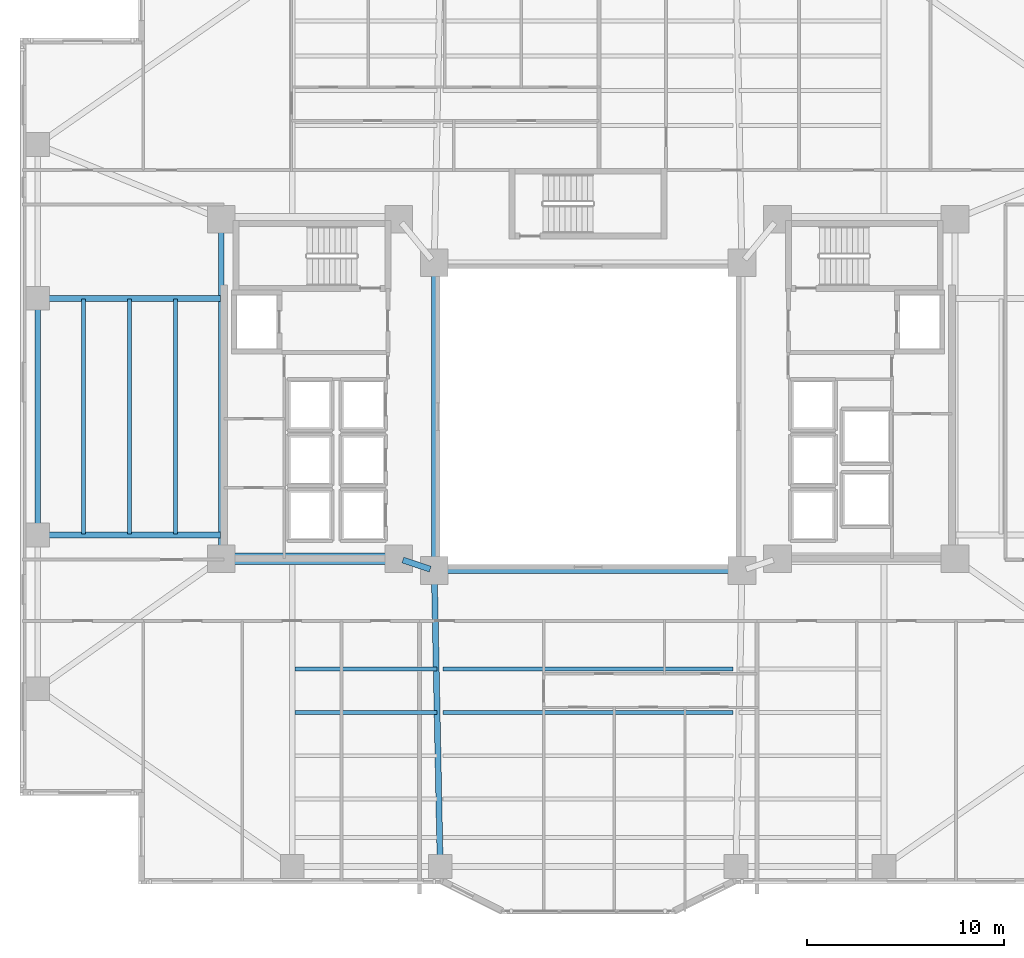
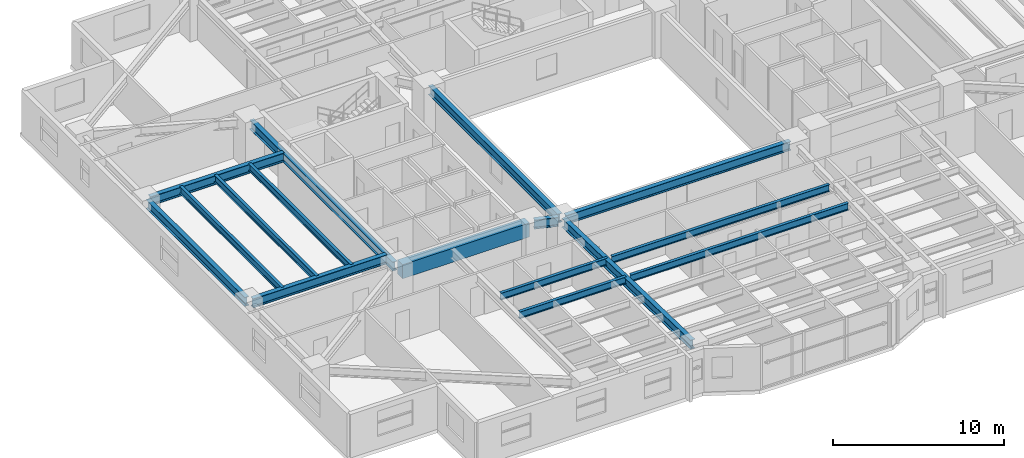
# One storey, part 3 of 19: 16 beams.
"""IFC4 building model written with IfcOpenShell, lengths in metres."""

from ifc_helpers import new_model, si_unit, direction, frame, origin, origin_2d, place, context, subcontext, project, spatial, rectangle, i_section, extrude, material, material_profile, profile_set, type_object, element, save


model = new_model("IFC4")

# Units and contexts
model_context = context("Model", 3, precision=1e-05, world=origin(), true_north=direction((0.0, 1.0)))
body_context = subcontext(model_context, "Body", "Model", "MODEL_VIEW")
ifc_project = project(units=[si_unit("LENGTHUNIT", "METRE"), si_unit("AREAUNIT", "SQUARE_METRE"), si_unit("VOLUMEUNIT", "CUBIC_METRE"), si_unit("PLANEANGLEUNIT", "RADIAN"), si_unit("MASSUNIT", "GRAM", prefix="KILO")], contexts=[model_context])

# Site, building, storey
site_placement = place(None, origin())
site = spatial("IfcSite", under=ifc_project, at=site_placement, CompositionType="ELEMENT")
building_placement = place(site_placement, origin())
building = spatial("IfcBuilding", under=site, at=building_placement, Name="Tarnavaz Court Tower", CompositionType="ELEMENT")
storey_placement = place(building_placement, frame((0.0, 0.0, 54.14990234375)))
storey = spatial("IfcBuildingStorey", under=building, at=storey_placement, Name="L14", CompositionType="ELEMENT", Elevation=54.14990234375)

# Beams
ifc_material_1 = material(Name="Concrete C60/75", Category="concrete")
ifc_material_profile_1 = material_profile(ifc_material_1, rectangle(XDim=0.60009765625, YDim=1.0, at=origin_2d()), Name="RC 600X1000")
ifc_profile_set_1 = profile_set([ifc_material_profile_1], Name="Concrete C60/75")
beam_type_1 = type_object("IfcBeamType", Name="BM-CB1000", PredefinedType="LINTEL", material=ifc_profile_set_1)
beam_1_placement = place(storey_placement, frame((-18.3798828125, -7.199951171875, 2.60009765625), z_axis=(1.0, 0.0, 0.0), x_axis=(0.0, 1.0, 0.0)))
element("IfcBeam", 1, at=beam_1_placement, inside=storey, type_object=beam_type_1, Name="L14 Beam IN-CW-SO-CW-SI", PredefinedType="LINTEL", context=body_context, shape_type="SweptSolid", body=[
    extrude(rectangle(XDim=0.60009765625, YDim=1.0, at=origin_2d()), origin(), (0.0, 0.0, 1.0), 8.559814453125),
])
ifc_material_2 = material(Name="Steel S355", Category="steel")
ifc_material_profile_2 = material_profile(ifc_material_2, i_section(OverallWidth=0.300048828125, OverallDepth=0.64990234375, WebThickness=0.01611328125, FlangeThickness=0.031005859375, FilletRadius=0.027099609375, at=origin_2d()), Name="HEB 650")
ifc_profile_set_2 = profile_set([ifc_material_profile_2], Name="Steel S355")
beam_type_2 = type_object("IfcBeamType", Name="BM-G-HEB650", PredefinedType="USERDEFINED", material=ifc_profile_set_2)
beam_2_placement = place(storey_placement, frame((-9.391357421875, -7.26953125, 2.775146484375), z_axis=(0.948666544706, -0.316278021615, 0.0), x_axis=(0.316278021615, 0.948666544706, 0.0)))
element("IfcBeam", 2, at=beam_2_placement, inside=storey, type_object=beam_type_2, Name="L14 Beam IN-CW-SI-IW-SW", ObjectType="GIRDER", PredefinedType="USERDEFINED", context=body_context, shape_type="SweptSolid", body=[
    extrude(i_section(OverallWidth=0.300048828125, OverallDepth=0.64990234375, WebThickness=0.01611328125, FlangeThickness=0.031005859375, FilletRadius=0.027099609375, at=origin_2d()), origin(), (0.0, 0.0, 1.0), 1.457275390625),
])
beam_3_placement = place(storey_placement, frame((-18.60009765625, -6.97998046875, 2.775146484375), z_axis=(0.0, 1.0, 0.0), x_axis=(-1.0, 0.0, 0.0)))
element("IfcBeam", 3, at=beam_3_placement, inside=storey, type_object=beam_type_2, Name="L14 Beam IN-CW-SO-CW-NO", ObjectType="GIRDER", PredefinedType="USERDEFINED", context=body_context, shape_type="SweptSolid", body=[
    extrude(i_section(OverallWidth=0.300048828125, OverallDepth=0.64990234375, WebThickness=0.01611328125, FlangeThickness=0.031005859375, FilletRadius=0.027099609375, at=origin_2d()), origin(), (0.0, 0.0, 1.0), 16.760009765625),
])
beam_4_placement = place(storey_placement, frame((-7.795654296875, -8.02001953125, 2.775146484375), z_axis=(0.020000023066, -0.999799979535, 0.0), x_axis=(0.999799979535, 0.020000023066, 0.0)))
element("IfcBeam", 4, at=beam_4_placement, inside=storey, type_object=beam_type_2, Name="L14 Beam RG-06", ObjectType="GIRDER", PredefinedType="USERDEFINED", context=body_context, shape_type="SweptSolid", body=[
    extrude(i_section(OverallWidth=0.300048828125, OverallDepth=0.64990234375, WebThickness=0.01611328125, FlangeThickness=0.031005859375, FilletRadius=0.027099609375, at=origin_2d()), origin(), (0.0, 0.0, 1.0), 14.56298828125),
])
for number, where, z_axis, x_axis, name in (
    (5, (-18.639892578125, -6.0, 2.775146484375), (-1.0, 0.0, 0.0), (0.0, -1.0, 0.0), "L14 Beam RG-13"),
    (6, (-18.639892578125, 6.0, 2.775146484375), (-1.0, 0.0, 0.0), (0.0, -1.0, 0.0), "L14 Beam RG-14"),
):
    element("IfcBeam", number, at=place(storey_placement, frame(where, z_axis=z_axis, x_axis=x_axis)), inside=storey, type_object=beam_type_2, Name=name, ObjectType="GIRDER", PredefinedType="USERDEFINED", context=body_context, shape_type="SweptSolid", body=[
        extrude(i_section(OverallWidth=0.300048828125, OverallDepth=0.64990234375, WebThickness=0.01611328125, FlangeThickness=0.031005859375, FilletRadius=0.027099609375, at=origin_2d()), origin(), (0.0, 0.0, 1.0), 9.0400390625),
    ])
ifc_material_profile_3 = material_profile(ifc_material_2, i_section(OverallWidth=0.199951171875, OverallDepth=0.5, WebThickness=0.01025390625, FlangeThickness=0.01611328125, FilletRadius=0.02099609375, at=origin_2d()), Name="IPE 500")
ifc_profile_set_3 = profile_set([ifc_material_profile_3], Name="Steel S355")
beam_type_3 = type_object("IfcBeamType", Name="BM-J-IPE500", PredefinedType="JOIST", material=ifc_profile_set_3)
beam_5_placement = place(storey_placement, frame((-14.85009765625, -12.7958984375, 2.85009765625), z_axis=(1.0, 0.0, 0.0), x_axis=(0.0, 1.0, 0.0)))
element("IfcBeam", 7, at=beam_5_placement, inside=storey, type_object=beam_type_3, Name="L14 Beam JS1-1", PredefinedType="JOIST", context=body_context, shape_type="SweptSolid", body=[
    extrude(i_section(OverallWidth=0.199951171875, OverallDepth=0.5, WebThickness=0.01025390625, FlangeThickness=0.01611328125, FilletRadius=0.02099609375, at=origin_2d()), origin(), (0.0, 0.0, 1.0), 7.2001953125),
])
beam_6_placement = place(storey_placement, frame((-7.35009765625, -12.7958984375, 2.85009765625), z_axis=(1.0, 0.0, 0.0), x_axis=(0.0, 1.0, 0.0)))
element("IfcBeam", 8, at=beam_6_placement, inside=storey, type_object=beam_type_3, Name="L14 Beam JS1-2", PredefinedType="JOIST", context=body_context, shape_type="SweptSolid", body=[
    extrude(i_section(OverallWidth=0.199951171875, OverallDepth=0.5, WebThickness=0.01025390625, FlangeThickness=0.01611328125, FilletRadius=0.02099609375, at=origin_2d()), origin(), (0.0, 0.0, 1.0), 14.7001953125),
])
beam_7_placement = place(storey_placement, frame((-14.85009765625, -14.991943359375, 2.85009765625), z_axis=(1.0, 0.0, 0.0), x_axis=(0.0, 1.0, 0.0)))
element("IfcBeam", 9, at=beam_7_placement, inside=storey, type_object=beam_type_3, Name="L14 Beam JS2-1", PredefinedType="JOIST", context=body_context, shape_type="SweptSolid", body=[
    extrude(i_section(OverallWidth=0.199951171875, OverallDepth=0.5, WebThickness=0.01025390625, FlangeThickness=0.01611328125, FilletRadius=0.02099609375, at=origin_2d()), origin(), (0.0, 0.0, 1.0), 7.2001953125),
])
beam_8_placement = place(storey_placement, frame((-7.35009765625, -14.991943359375, 2.85009765625), z_axis=(1.0, 0.0, 0.0), x_axis=(0.0, 1.0, 0.0)))
element("IfcBeam", 10, at=beam_8_placement, inside=storey, type_object=beam_type_3, Name="L14 Beam JS2-2", PredefinedType="JOIST", context=body_context, shape_type="SweptSolid", body=[
    extrude(i_section(OverallWidth=0.199951171875, OverallDepth=0.5, WebThickness=0.01025390625, FlangeThickness=0.01611328125, FilletRadius=0.02099609375, at=origin_2d()), origin(), (0.0, 0.0, 1.0), 14.7001953125),
])
for number, where, z_axis, x_axis, name in (
    (11, (-20.925048828125, -5.9599609375, 2.85009765625), (0.0, 1.0, 0.0), (-1.0, 0.0, 0.0), "L14 Beam JW1"),
    (12, (-23.25, -5.9599609375, 2.85009765625), (0.0, 1.0, 0.0), (-1.0, 0.0, 0.0), "L14 Beam JW2"),
    (13, (-25.574951171875, -5.9599609375, 2.85009765625), (0.0, 1.0, 0.0), (-1.0, 0.0, 0.0), "L14 Beam JW3"),
):
    element("IfcBeam", number, at=place(storey_placement, frame(where, z_axis=z_axis, x_axis=x_axis)), inside=storey, type_object=beam_type_3, Name=name, PredefinedType="JOIST", context=body_context, shape_type="SweptSolid", body=[
        extrude(i_section(OverallWidth=0.199951171875, OverallDepth=0.5, WebThickness=0.01025390625, FlangeThickness=0.01611328125, FilletRadius=0.02099609375, at=origin_2d()), origin(), (0.0, 0.0, 1.0), 11.919921875),
    ])
ifc_material_profile_4 = material_profile(ifc_material_2, i_section(OverallWidth=0.300048828125, OverallDepth=0.639892578125, WebThickness=0.013427734375, FlangeThickness=0.02587890625, FilletRadius=0.027099609375, at=origin_2d()), Name="HEA 650")
ifc_profile_set_4 = profile_set([ifc_material_profile_4], Name="Steel S355")
beam_type_4 = type_object("IfcBeamType", Name="BM-SP-HEA650", PredefinedType="SPANDREL", material=ifc_profile_set_4)
for number, where, z_axis, x_axis, name in (
    (14, (-7.580078125, -7.800048828125, 2.780029296875), (1.0, 0.0, 0.0), (0.0, 1.0, 0.0), "L14 Beam IN-IW-SW-IW-SE"),
    (15, (-7.800048828125, -7.580078125, 2.780029296875), (0.0, 1.0, 0.0), (-1.0, 0.0, 0.0), "L14 Beam IN-IW-SW-IW-NW"),
):
    element("IfcBeam", number, at=place(storey_placement, frame(where, z_axis=z_axis, x_axis=x_axis)), inside=storey, type_object=beam_type_4, Name=name, PredefinedType="SPANDREL", context=body_context, shape_type="SweptSolid", body=[
        extrude(i_section(OverallWidth=0.300048828125, OverallDepth=0.639892578125, WebThickness=0.013427734375, FlangeThickness=0.02587890625, FilletRadius=0.027099609375, at=origin_2d()), origin(), (0.0, 0.0, 1.0), 15.16015625),
    ])
beam_9_placement = place(storey_placement, frame((-27.89990234375, -5.780029296875, 2.780029296875), z_axis=(0.0, 1.0, 0.0), x_axis=(-1.0, 0.0, 0.0)))
element("IfcBeam", 16, at=beam_9_placement, inside=storey, type_object=beam_type_4, Name="L14 Beam PR-PW-2-PW-3", PredefinedType="SPANDREL", context=body_context, shape_type="SweptSolid", body=[
    extrude(i_section(OverallWidth=0.300048828125, OverallDepth=0.639892578125, WebThickness=0.013427734375, FlangeThickness=0.02587890625, FilletRadius=0.027099609375, at=origin_2d()), origin(), (0.0, 0.0, 1.0), 11.56005859375),
])

save(model, "model.ifc")
